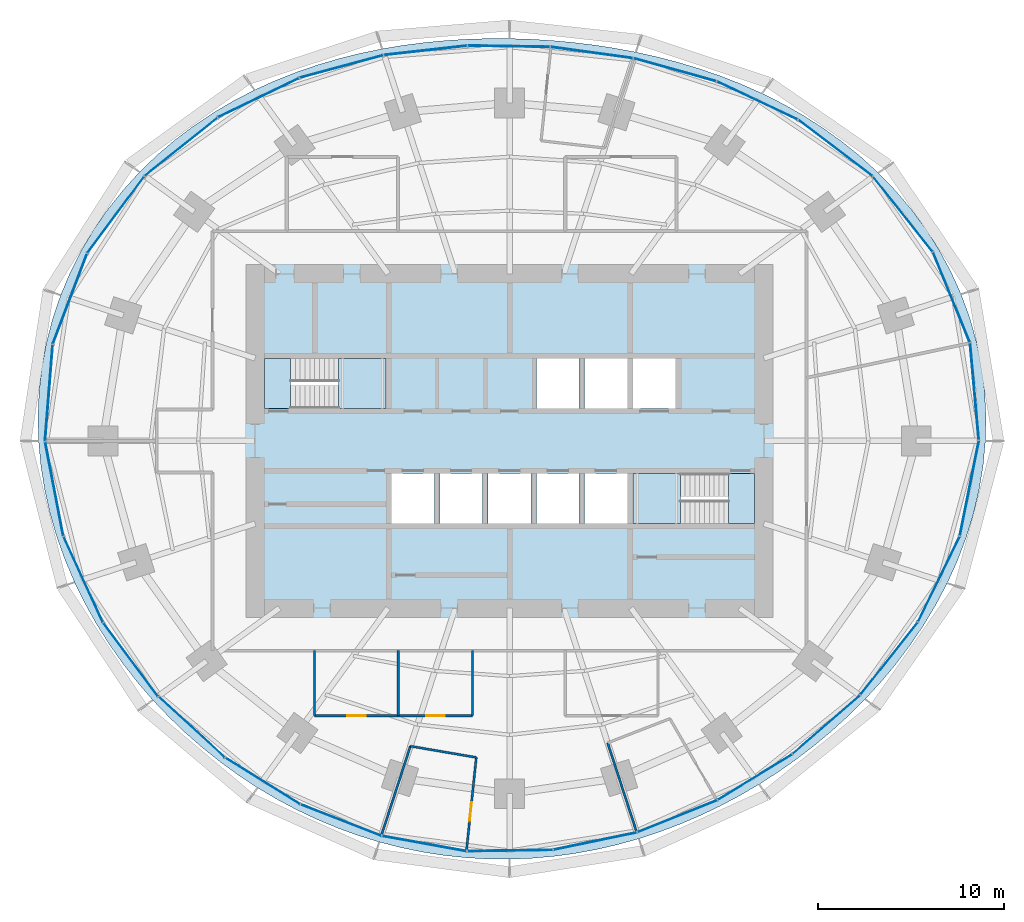
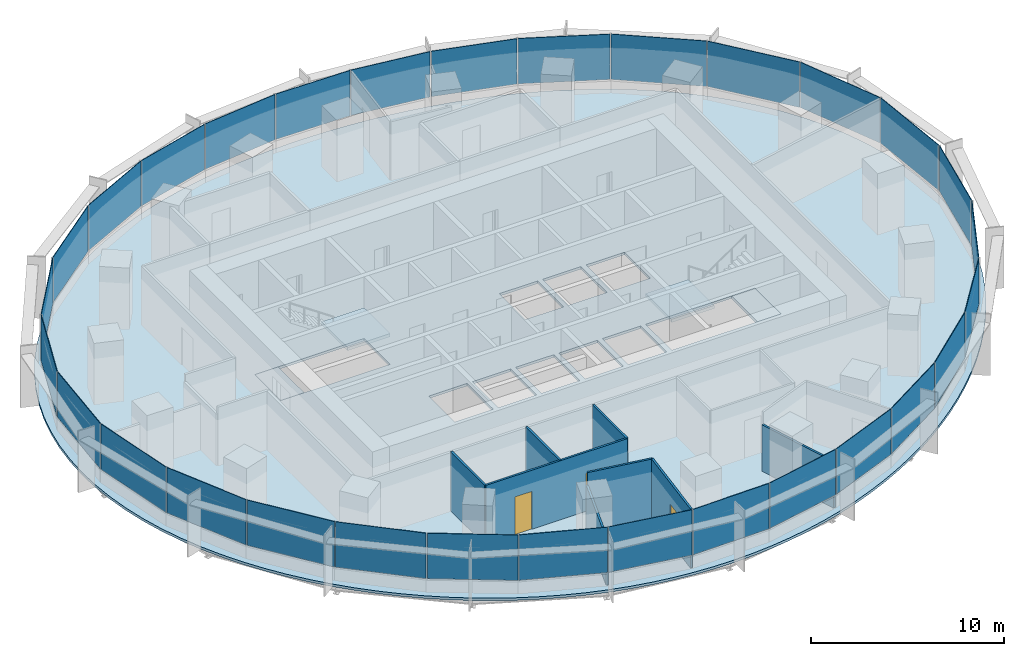
# One storey, part 9 of 14: 30 plates, 8 walls, 5 slabs, 3 doors, 3 openings, 8 elements without a shape of their own.
"""IFC4 building model written with IfcOpenShell, lengths in metres."""

from ifc_helpers import new_model, si_unit, direction, frame, frame_2d, origin, origin_2d, place, context, subcontext, project, spatial, polyline, rectangle, outline, extrude, material, layer, layer_set, type_object, element, fill, aggregate, save


model = new_model("IFC4")

# Units and contexts
model_context = context("Model", 3, precision=1e-05, world=origin(), true_north=direction((0.0, 1.0)))
body_context = subcontext(model_context, "Body", "Model", "MODEL_VIEW")
ifc_project = project(units=[si_unit("LENGTHUNIT", "METRE"), si_unit("AREAUNIT", "SQUARE_METRE"), si_unit("VOLUMEUNIT", "CUBIC_METRE"), si_unit("PLANEANGLEUNIT", "RADIAN"), si_unit("MASSUNIT", "GRAM", prefix="KILO")], contexts=[model_context])

# Site, building, storey
site_placement = place(None, origin())
site = spatial("IfcSite", under=ifc_project, at=site_placement, CompositionType="ELEMENT")
building_placement = place(site_placement, origin())
building = spatial("IfcBuilding", under=site, at=building_placement, Name="Marramba Exchange Tower", CompositionType="ELEMENT")
storey_placement = place(building_placement, frame((0.0, 0.0, 108.0)))
storey = spatial("IfcBuildingStorey", under=building, at=storey_placement, Name="L25", CompositionType="ELEMENT", Elevation=108.0)

# Slab
ifc_material_1 = material(Name="Concrete N40", Category="concrete")
ifc_layer_1 = layer(ifc_material_1, 0.159912109375)
ifc_layer_set_1 = layer_set([ifc_layer_1], Name="Composite floor slab 160")
slab_type_1 = type_object("IfcSlabType", Name="Composite floor slab 160", PredefinedType="FLOOR", material=ifc_layer_set_1)
slab_1_placement = place(storey_placement, frame((0.0, 0.0, -0.159912109375)))
element("IfcSlab", 1, at=slab_1_placement, inside=storey, type_object=slab_type_1, Name="Floor slab L25", PredefinedType="FLOOR", context=body_context, shape_type="SweptSolid", body=[
    extrude(outline(polyline([(25.632080078125, 0.0), (25.66064453125, 1.3447265625), (25.59033203125, 2.689697265625), (25.420166015625, 4.026123046875), (25.15087890625, 5.345947265625), (24.7841796875, 6.640869140625), (24.322998046875, 7.903076171875), (23.771484375, 9.125), (23.135009765625, 10.30029296875), (22.419677734375, 11.42333984375), (21.632080078125, 12.4892578125), (20.779541015625, 13.494384765625), (19.869384765625, 14.43603515625), (18.9091796875, 15.3125), (17.90625, 16.122802734375), (16.86767578125, 16.86767578125), (15.800048828125, 17.5478515625), (14.70947265625, 18.164794921875), (13.6015625, 18.720947265625), (12.48095703125, 19.218994140625), (11.3515625, 19.66162109375), (10.217041015625, 20.05224609375), (9.079833984375, 20.393798828125), (7.94189453125, 20.689453125), (6.804443359375, 20.942138671875), (5.668212890625, 21.154296875), (4.533447265625, 21.328369140625), (3.39990234375, 21.46630859375), (2.26708984375, 21.5693359375), (1.134033203125, 21.63818359375), (0.0, 21.673095703125), (-1.135986328125, 21.673828125), (-2.2744140625, 21.6396484375), (-3.416259765625, 21.5693359375), (-4.5615234375, 21.460693359375), (-5.71044921875, 21.31201171875), (-6.8623046875, 21.1201171875), (-8.01611328125, 20.8828125), (-9.170166015625, 20.5966796875), (-10.322509765625, 20.2587890625), (-11.4697265625, 19.8662109375), (-12.60888671875, 19.415771484375), (-13.7353515625, 18.905029296875), (-14.8447265625, 18.331787109375), (-15.931640625, 17.69384765625), (-16.989990234375, 16.989990234375), (-18.013916015625, 16.2197265625), (-18.996826171875, 15.38330078125), (-19.931884765625, 14.4814453125), (-20.8125, 13.515869140625), (-21.632080078125, 12.4892578125), (-22.384033203125, 11.4052734375), (-23.0625, 10.26806640625), (-23.661865234375, 9.0830078125), (-24.177734375, 7.855712890625), (-24.605712890625, 6.593017578125), (-24.943603515625, 5.302001953125), (-25.18896484375, 3.989501953125), (-25.341064453125, 2.663330078125), (-25.400390625, 1.3310546875), (-25.367919921875, 0.0), (-25.246337890625, -1.322998046875), (-25.038818359375, -2.631591796875), (-24.748779296875, -3.919921875), (-24.381103515625, -5.182373046875), (-23.940185546875, -6.414794921875), (-23.431396484375, -7.61328125), (-22.859130859375, -8.77490234375), (-22.22900390625, -9.89697265625), (-21.545166015625, -10.977783203125), (-20.81201171875, -12.015869140625), (-20.033935546875, -13.010009765625), (-19.2138671875, -13.959716796875), (-18.35546875, -14.86376953125), (-17.461181640625, -15.72216796875), (-16.53369140625, -16.53369140625), (-15.5751953125, -17.298095703125), (-14.587646484375, -18.014404296875), (-13.5732421875, -18.681884765625), (-12.533203125, -19.299560546875), (-11.4697265625, -19.8662109375), (-10.384765625, -20.381103515625), (-9.27978515625, -20.8427734375), (-8.157470703125, -21.250732421875), (-7.019287109375, -21.603271484375), (-5.8681640625, -21.900146484375), (-4.7060546875, -22.14013671875), (-3.53564453125, -22.322998046875), (-2.359375, -22.448486328125), (-1.179931640625, -22.516357421875), (0.0, -22.52685546875), (1.17822265625, -22.480712890625), (2.35205078125, -22.3779296875), (3.519287109375, -22.22021484375), (4.677978515625, -22.0078125), (5.825927734375, -21.742431640625), (6.96142578125, -21.425048828125), (8.0830078125, -21.05712890625), (9.189453125, -20.639892578125), (10.279296875, -20.17431640625), (11.3515625, -19.66162109375), (12.4052734375, -19.1025390625), (13.439453125, -18.497802734375), (14.45263671875, -17.847412109375), (15.44384765625, -17.152099609375), (16.411376953125, -16.411376953125), (17.353515625, -15.625244140625), (18.267822265625, -14.79296875), (19.1513671875, -13.914306640625), (20.000732421875, -12.98876953125), (20.81201171875, -12.015869140625), (21.580810546875, -10.995849609375), (22.301513671875, -9.92919921875), (22.96875, -8.81689453125), (23.57666015625, -7.660400390625), (24.11865234375, -6.462646484375), (24.588623046875, -5.2265625), (24.980224609375, -3.95654296875), (25.2880859375, -2.657958984375), (25.5068359375, -1.336669921875), (25.632080078125, 0.0)]), holes=[polyline([(1.449951171875, 1.75), (3.75, 1.75), (3.75, 4.449951171875), (1.449951171875, 4.449951171875), (1.449951171875, 1.75)]), polyline([(4.050048828125, 1.75), (6.35009765625, 1.75), (6.35009765625, 4.449951171875), (4.050048828125, 4.449951171875), (4.050048828125, 1.75)]), polyline([(-6.35009765625, -4.449951171875), (-4.050048828125, -4.449951171875), (-4.050048828125, -1.75), (-6.35009765625, -1.75), (-6.35009765625, -4.449951171875)]), polyline([(-3.75, -4.449951171875), (-1.449951171875, -4.449951171875), (-1.449951171875, -1.75), (-3.75, -1.75), (-3.75, -4.449951171875)]), polyline([(-1.14990234375, -4.449951171875), (1.14990234375, -4.449951171875), (1.14990234375, -1.75), (-1.14990234375, -1.75), (-1.14990234375, -4.449951171875)]), polyline([(1.449951171875, -4.449951171875), (3.75, -4.449951171875), (3.75, -1.75), (1.449951171875, -1.75), (1.449951171875, -4.449951171875)]), polyline([(4.050048828125, -4.449951171875), (6.35009765625, -4.449951171875), (6.35009765625, -1.75), (4.050048828125, -1.75), (4.050048828125, -4.449951171875)]), polyline([(6.64990234375, 1.75), (8.949951171875, 1.75), (8.949951171875, 4.449951171875), (6.64990234375, 4.449951171875), (6.64990234375, 1.75)]), polyline([(-13.199951171875, 1.75), (-6.64990234375, 1.75), (-6.64990234375, 4.449951171875), (-13.199951171875, 4.449951171875), (-13.199951171875, 1.75)]), polyline([(6.64990234375, -4.449951171875), (13.199951171875, -4.449951171875), (13.199951171875, -1.75), (6.64990234375, -1.75), (6.64990234375, -4.449951171875)])]), origin(), (0.0, 0.0, 1.0), 0.159912109375),
])

# Curtain wall, plates
ifc_material_2 = material(Name="Aluminium framing, bronze anodised", Category="aluminium")
curtain_wall_type = type_object("IfcCurtainWallType", Name="Office ribbon curtain wall", PredefinedType="USERDEFINED", material=ifc_material_2)
curtain_wall_1_placement = place(storey_placement, origin())
curtain_wall_1 = element("IfcCurtainWall", 2, at=curtain_wall_1_placement, inside=storey, type_object=curtain_wall_type, Name="Curtain wall CW4 L25 F01-F05", ObjectType="RIBBON CURTAIN WALL", PredefinedType="USERDEFINED")
ifc_material_3 = material(Name="Laminated double glazed unit 10.76 + 16 + 10.76, bronze tinted", Category="glass")
ifc_layer_2 = layer(ifc_material_3, 0.03759765625)
ifc_layer_set_2 = layer_set([ifc_layer_2], Name="Office ribbon curtain wall panel")
plate_type = type_object("IfcPlateType", Name="Office ribbon curtain wall panel", PredefinedType="CURTAIN_PANEL", material=ifc_layer_set_2)
plate_1_placement = place(storey_placement, frame((25.042724609375, 2.66650390625, 0.860107421875), z_axis=(0.0, 0.0, 1.0), x_axis=(-0.089412887889, 0.995994646311, 0.0)))
plate_1 = element("IfcPlate", 3, at=plate_1_placement, type_object=plate_type, Name="CW4 vision panel", PredefinedType="CURTAIN_PANEL", context=body_context, shape_type="SweptSolid", body=[
    extrude(rectangle(XDim=5.234375, YDim=0.03759765625, at=origin_2d()), origin(), (0.0, 0.0, 1.0), 2.8798828125),
])
plate_2_placement = place(storey_placement, frame((23.800537109375, 7.743408203125, 0.860107421875), z_axis=(0.0, 0.0, 1.0), x_axis=(-0.377821183171, 0.925878584668, 0.0)))
plate_2 = element("IfcPlate", 4, at=plate_2_placement, type_object=plate_type, Name="CW4 vision panel", PredefinedType="CURTAIN_PANEL", context=body_context, shape_type="SweptSolid", body=[
    extrude(rectangle(XDim=5.2158203125, YDim=0.03759765625, at=origin_2d()), origin(), (0.0, 0.0, 1.0), 2.8798828125),
])
plate_3_placement = place(storey_placement, frame((21.18212890625, 12.217529296875, 0.860107421875), z_axis=(0.0, 0.0, 1.0), x_axis=(-0.621312004611, 0.783563266703, 0.0)))
plate_3 = element("IfcPlate", 5, at=plate_3_placement, type_object=plate_type, Name="CW4 vision panel", PredefinedType="CURTAIN_PANEL", context=body_context, shape_type="SweptSolid", body=[
    extrude(rectangle(XDim=5.136962890625, YDim=0.03759765625, at=origin_2d()), origin(), (0.0, 0.0, 1.0), 2.8798828125),
])
plate_4_placement = place(storey_placement, frame((17.55224609375, 15.777099609375, 0.860107421875), z_axis=(0.0, 0.0, 1.0), x_axis=(-0.795971748366, 0.60533377223, 0.0)))
plate_4 = element("IfcPlate", 6, at=plate_4_placement, type_object=plate_type, Name="CW4 vision panel", PredefinedType="CURTAIN_PANEL", context=body_context, shape_type="SweptSolid", body=[
    extrude(rectangle(XDim=4.990966796875, YDim=0.03759765625, at=origin_2d()), origin(), (0.0, 0.0, 1.0), 2.8798828125),
])
plate_5_placement = place(storey_placement, frame((13.34423828125, 18.3359375, 0.860107421875), z_axis=(0.0, 0.0, 1.0), x_axis=(-0.904403137485, 0.426678995157, 0.0)))
plate_5 = element("IfcPlate", 7, at=plate_5_placement, type_object=plate_type, Name="CW4 vision panel", PredefinedType="CURTAIN_PANEL", context=body_context, shape_type="SweptSolid", body=[
    extrude(rectangle(XDim=4.793212890625, YDim=0.03759765625, at=origin_2d()), origin(), (0.0, 0.0, 1.0), 2.8798828125),
])
aggregate(curtain_wall_1, [plate_1, plate_2, plate_3, plate_4, plate_5])

curtain_wall_2_placement = place(storey_placement, origin())
curtain_wall_2 = element("IfcCurtainWall", 8, at=curtain_wall_2_placement, inside=storey, type_object=curtain_wall_type, Name="Curtain wall CW4 L25 F06-F10", ObjectType="RIBBON CURTAIN WALL", PredefinedType="USERDEFINED")
plate_6_placement = place(storey_placement, frame((8.907470703125, 19.991943359375, 0.860107421875), z_axis=(0.0, 0.0, 1.0), x_axis=(-0.963177845956, 0.268865090816, 0.0)))
plate_6 = element("IfcPlate", 9, at=plate_6_placement, type_object=plate_type, Name="CW4 vision panel", PredefinedType="CURTAIN_PANEL", context=body_context, shape_type="SweptSolid", body=[
    extrude(rectangle(XDim=4.591552734375, YDim=0.03759765625, at=origin_2d()), origin(), (0.0, 0.0, 1.0), 2.8798828125),
])
plate_7_placement = place(storey_placement, frame((4.43359375, 20.919189453125, 0.860107421875), z_axis=(0.0, 0.0, 1.0), x_axis=(-0.990738212841, 0.135785837319, 0.0)))
plate_7 = element("IfcPlate", 10, at=plate_7_placement, type_object=plate_type, Name="CW4 vision panel", PredefinedType="CURTAIN_PANEL", context=body_context, shape_type="SweptSolid", body=[
    extrude(rectangle(XDim=4.447509765625, YDim=0.03759765625, at=origin_2d()), origin(), (0.0, 0.0, 1.0), 2.8798828125),
])
plate_8_placement = place(storey_placement, frame((-0.03369140625, 21.2568359375, 0.860107421875), z_axis=(0.0, 0.0, 1.0), x_axis=(-0.999875869968, 0.01575578169, 0.0)))
plate_8 = element("IfcPlate", 11, at=plate_8_placement, type_object=plate_type, Name="CW4 vision panel", PredefinedType="CURTAIN_PANEL", context=body_context, shape_type="SweptSolid", body=[
    extrude(rectangle(XDim=4.408935546875, YDim=0.03759765625, at=origin_2d()), origin(), (0.0, 0.0, 1.0), 2.8798828125),
])
plate_9_placement = place(storey_placement, frame((-4.52587890625, 21.0361328125, 0.860107421875), z_axis=(0.0, 0.0, 1.0), x_axis=(-0.993823395532, -0.110973233233, 0.0)))
plate_9 = element("IfcPlate", 12, at=plate_9_placement, type_object=plate_type, Name="CW4 vision panel", PredefinedType="CURTAIN_PANEL", context=body_context, shape_type="SweptSolid", body=[
    extrude(rectangle(XDim=4.484375, YDim=0.03759765625, at=origin_2d()), origin(), (0.0, 0.0, 1.0), 2.8798828125),
])
plate_10_placement = place(storey_placement, frame((-9.053466796875, 20.16748046875, 0.860107421875), z_axis=(0.0, 0.0, 1.0), x_axis=(-0.965522047176, -0.260321294588, 0.0)))
plate_10 = element("IfcPlate", 13, at=plate_10_placement, type_object=plate_type, Name="CW4 vision panel", PredefinedType="CURTAIN_PANEL", context=body_context, shape_type="SweptSolid", body=[
    extrude(rectangle(XDim=4.642578125, YDim=0.03759765625, at=origin_2d()), origin(), (0.0, 0.0, 1.0), 2.8798828125),
])
aggregate(curtain_wall_2, [plate_6, plate_7, plate_8, plate_9, plate_10])

curtain_wall_3_placement = place(storey_placement, origin())
curtain_wall_3 = element("IfcCurtainWall", 14, at=curtain_wall_3_placement, inside=storey, type_object=curtain_wall_type, Name="Curtain wall CW4 L25 F11-F15", ObjectType="RIBBON CURTAIN WALL", PredefinedType="USERDEFINED")
plate_11_placement = place(storey_placement, frame((-13.52294921875, 18.4853515625, 0.860107421875), z_axis=(0.0, 0.0, 1.0), x_axis=(-0.900223739881, -0.435427626771, 0.0)))
plate_11 = element("IfcPlate", 15, at=plate_11_placement, type_object=plate_type, Name="CW4 vision panel", PredefinedType="CURTAIN_PANEL", context=body_context, shape_type="SweptSolid", body=[
    extrude(rectangle(XDim=4.83056640625, YDim=0.03759765625, at=origin_2d()), origin(), (0.0, 0.0, 1.0), 2.8798828125),
])
plate_12_placement = place(storey_placement, frame((-17.696533203125, 15.8359375, 0.860107421875), z_axis=(0.0, 0.0, 1.0), x_axis=(-0.78117833008, -0.624307950145, 0.0)))
plate_12 = element("IfcPlate", 16, at=plate_12_placement, type_object=plate_type, Name="CW4 vision panel", PredefinedType="CURTAIN_PANEL", context=body_context, shape_type="SweptSolid", body=[
    extrude(rectangle(XDim=4.998291015625, YDim=0.03759765625, at=origin_2d()), origin(), (0.0, 0.0, 1.0), 2.8798828125),
])
plate_13_placement = place(storey_placement, frame((-21.213623046875, 12.1767578125, 0.860107421875), z_axis=(0.0, 0.0, 1.0), x_axis=(-0.597703997504, -0.80171686484, 0.0)))
plate_13 = element("IfcPlate", 17, at=plate_13_placement, type_object=plate_type, Name="CW4 vision panel", PredefinedType="CURTAIN_PANEL", context=body_context, shape_type="SweptSolid", body=[
    extrude(rectangle(XDim=5.116455078125, YDim=0.03759765625, at=origin_2d()), origin(), (0.0, 0.0, 1.0), 2.8798828125),
])
plate_14_placement = place(storey_placement, frame((-23.6826171875, 7.6494140625, 0.860107421875), z_axis=(0.0, 0.0, 1.0), x_axis=(-0.354844468484, -0.934925346317, 0.0)))
plate_14 = element("IfcPlate", 18, at=plate_14_placement, type_object=plate_type, Name="CW4 vision panel", PredefinedType="CURTAIN_PANEL", context=body_context, shape_type="SweptSolid", body=[
    extrude(rectangle(XDim=5.177490234375, YDim=0.03759765625, at=origin_2d()), origin(), (0.0, 0.0, 1.0), 2.8798828125),
])
plate_15_placement = place(storey_placement, frame((-24.81201171875, 2.584716796875, 0.860107421875), z_axis=(0.0, 0.0, 1.0), x_axis=(-0.079459696383, -0.996838079455, 0.0)))
plate_15 = element("IfcPlate", 19, at=plate_15_placement, type_object=plate_type, Name="CW4 vision panel", PredefinedType="CURTAIN_PANEL", context=body_context, shape_type="SweptSolid", body=[
    extrude(rectangle(XDim=5.185791015625, YDim=0.03759765625, at=origin_2d()), origin(), (0.0, 0.0, 1.0), 2.8798828125),
])
aggregate(curtain_wall_3, [plate_11, plate_12, plate_13, plate_14, plate_15])

curtain_wall_4_placement = place(storey_placement, origin())
curtain_wall_4 = element("IfcCurtainWall", 20, at=curtain_wall_4_placement, inside=storey, type_object=curtain_wall_type, Name="Curtain wall CW4 L25 F16-F20", ObjectType="RIBBON CURTAIN WALL", PredefinedType="USERDEFINED")
plate_16_placement = place(storey_placement, frame((-24.522705078125, -2.584228515625, 0.860107421875), z_axis=(0.0, 0.0, 1.0), x_axis=(0.18822721487, -0.982125509078, 0.0)))
plate_16 = element("IfcPlate", 21, at=plate_16_placement, type_object=plate_type, Name="CW4 vision panel", PredefinedType="CURTAIN_PANEL", context=body_context, shape_type="SweptSolid", body=[
    extrude(rectangle(XDim=5.142578125, YDim=0.03759765625, at=origin_2d()), origin(), (0.0, 0.0, 1.0), 2.8798828125),
])
plate_17_placement = place(storey_placement, frame((-22.96142578125, -7.45947265625, 0.860107421875), z_axis=(0.0, 0.0, 1.0), x_axis=(0.416737848929, -0.909026713177, 0.0)))
plate_17 = element("IfcPlate", 22, at=plate_17_placement, type_object=plate_type, Name="CW4 vision panel", PredefinedType="CURTAIN_PANEL", context=body_context, shape_type="SweptSolid", body=[
    extrude(rectangle(XDim=5.0498046875, YDim=0.03759765625, at=origin_2d()), origin(), (0.0, 0.0, 1.0), 2.8798828125),
])
plate_18_placement = place(storey_placement, frame((-20.402099609375, -11.7783203125, 0.860107421875), z_axis=(0.0, 0.0, 1.0), x_axis=(0.597304697033, -0.802014400683, 0.0)))
plate_18 = element("IfcPlate", 23, at=plate_18_placement, type_object=plate_type, Name="CW4 vision panel", PredefinedType="CURTAIN_PANEL", context=body_context, shape_type="SweptSolid", body=[
    extrude(rectangle(XDim=4.926513671875, YDim=0.03759765625, at=origin_2d()), origin(), (0.0, 0.0, 1.0), 2.8798828125),
])
plate_19_placement = place(storey_placement, frame((-17.11376953125, -15.416259765625, 0.860107421875), z_axis=(0.0, 0.0, 1.0), x_axis=(0.737821886077, -0.674995455115, 0.0)))
plate_19 = element("IfcPlate", 24, at=plate_19_placement, type_object=plate_type, Name="CW4 vision panel", PredefinedType="CURTAIN_PANEL", context=body_context, shape_type="SweptSolid", body=[
    extrude(rectangle(XDim=4.80517578125, YDim=0.03759765625, at=origin_2d()), origin(), (0.0, 0.0, 1.0), 2.8798828125),
])
plate_20_placement = place(storey_placement, frame((-13.29248046875, -18.31640625, 0.860107421875), z_axis=(0.0, 0.0, 1.0), x_axis=(0.84835459748, -0.52942844364, 0.0)))
plate_20 = element("IfcPlate", 25, at=plate_20_placement, type_object=plate_type, Name="CW4 vision panel", PredefinedType="CURTAIN_PANEL", context=body_context, shape_type="SweptSolid", body=[
    extrude(rectangle(XDim=4.70947265625, YDim=0.03759765625, at=origin_2d()), origin(), (0.0, 0.0, 1.0), 2.8798828125),
])
aggregate(curtain_wall_4, [plate_16, plate_17, plate_18, plate_19, plate_20])

curtain_wall_5_placement = place(storey_placement, origin())
curtain_wall_5 = element("IfcCurtainWall", 26, at=curtain_wall_5_placement, inside=storey, type_object=curtain_wall_type, Name="Curtain wall CW4 L25 F21-F25", ObjectType="RIBBON CURTAIN WALL", PredefinedType="USERDEFINED")
plate_21_placement = place(storey_placement, frame((-9.074951171875, -20.427734375, 0.860107421875), z_axis=(0.0, 0.0, 1.0), x_axis=(0.931818390344, -0.36292490603, 0.0)))
plate_21 = element("IfcPlate", 27, at=plate_21_placement, type_object=plate_type, Name="CW4 vision panel", PredefinedType="CURTAIN_PANEL", context=body_context, shape_type="SweptSolid", body=[
    extrude(rectangle(XDim=4.644287109375, YDim=0.03759765625, at=origin_2d()), origin(), (0.0, 0.0, 1.0), 2.8798828125),
])
plate_22_placement = place(storey_placement, frame((-4.58740234375, -21.690673828125, 0.860107421875), z_axis=(0.0, 0.0, 1.0), x_axis=(0.984031865834, -0.177992379115, 0.0)))
plate_22 = element("IfcPlate", 28, at=plate_22_placement, type_object=plate_type, Name="CW4 vision panel", PredefinedType="CURTAIN_PANEL", context=body_context, shape_type="SweptSolid", body=[
    extrude(rectangle(XDim=4.602783203125, YDim=0.03759765625, at=origin_2d()), origin(), (0.0, 0.0, 1.0), 2.8798828125),
])
plate_23_placement = place(storey_placement, frame((0.0263671875, -22.064697265625, 0.860107421875), z_axis=(0.0, 0.0, 1.0), x_axis=(0.999884797709, 0.015178646521, 0.0)))
plate_23 = element("IfcPlate", 29, at=plate_23_placement, type_object=plate_type, Name="CW4 vision panel", PredefinedType="CURTAIN_PANEL", context=body_context, shape_type="SweptSolid", body=[
    extrude(rectangle(XDim=4.578857421875, YDim=0.03759765625, at=origin_2d()), origin(), (0.0, 0.0, 1.0), 2.8798828125),
])
plate_24_placement = place(storey_placement, frame((4.61376953125, -21.554931640625, 0.860107421875), z_axis=(0.0, 0.0, 1.0), x_axis=(0.979310199794, 0.202364850159, 0.0)))
plate_24 = element("IfcPlate", 30, at=plate_24_placement, type_object=plate_type, Name="CW4 vision panel", PredefinedType="CURTAIN_PANEL", context=body_context, shape_type="SweptSolid", body=[
    extrude(rectangle(XDim=4.57373046875, YDim=0.03759765625, at=origin_2d()), origin(), (0.0, 0.0, 1.0), 2.8798828125),
])
plate_25_placement = place(storey_placement, frame((9.042724609375, -20.214111328125, 0.860107421875), z_axis=(0.0, 0.0, 1.0), x_axis=(0.928148916059, 0.372209067082, 0.0)))
plate_25 = element("IfcPlate", 31, at=plate_25_placement, type_object=plate_type, Name="CW4 vision panel", PredefinedType="CURTAIN_PANEL", context=body_context, shape_type="SweptSolid", body=[
    extrude(rectangle(XDim=4.59814453125, YDim=0.03759765625, at=origin_2d()), origin(), (0.0, 0.0, 1.0), 2.8798828125),
])
aggregate(curtain_wall_5, [plate_21, plate_22, plate_23, plate_24, plate_25])

curtain_wall_6_placement = place(storey_placement, origin())
curtain_wall_6 = element("IfcCurtainWall", 32, at=curtain_wall_6_placement, inside=storey, type_object=curtain_wall_type, Name="Curtain wall CW4 L25 F26-F30", ObjectType="RIBBON CURTAIN WALL", PredefinedType="USERDEFINED")
plate_26_placement = place(storey_placement, frame((13.21875, -18.109619140625, 0.860107421875), z_axis=(0.0, 0.0, 1.0), x_axis=(0.853109114492, 0.521732535664, 0.0)))
plate_26 = element("IfcPlate", 33, at=plate_26_placement, type_object=plate_type, Name="CW4 vision panel", PredefinedType="CURTAIN_PANEL", context=body_context, shape_type="SweptSolid", body=[
    extrude(rectangle(XDim=4.66748046875, YDim=0.03759765625, at=origin_2d()), origin(), (0.0, 0.0, 1.0), 2.8798828125),
])
plate_27_placement = place(storey_placement, frame((17.0615234375, -15.280517578125, 0.860107421875), z_axis=(0.0, 0.0, 1.0), x_axis=(0.754385506384, 0.656431647438, 0.0)))
plate_27 = element("IfcPlate", 34, at=plate_27_placement, type_object=plate_type, Name="CW4 vision panel", PredefinedType="CURTAIN_PANEL", context=body_context, shape_type="SweptSolid", body=[
    extrude(rectangle(XDim=4.789794921875, YDim=0.03759765625, at=origin_2d()), origin(), (0.0, 0.0, 1.0), 2.8798828125),
])
plate_28_placement = place(storey_placement, frame((20.443603515625, -11.724365234375, 0.860107421875), z_axis=(0.0, 0.0, 1.0), x_axis=(0.621807472329, 0.783170139469, 0.0)))
plate_28 = element("IfcPlate", 35, at=plate_28_placement, type_object=plate_type, Name="CW4 vision panel", PredefinedType="CURTAIN_PANEL", context=body_context, shape_type="SweptSolid", body=[
    extrude(rectangle(XDim=4.947265625, YDim=0.03759765625, at=origin_2d()), origin(), (0.0, 0.0, 1.0), 2.8798828125),
])
plate_29_placement = place(storey_placement, frame((23.127197265625, -7.443359375, 0.860107421875), z_axis=(0.0, 0.0, 1.0), x_axis=(0.439086342308, 0.89844486976, 0.0)))
plate_29 = element("IfcPlate", 36, at=plate_29_placement, type_object=plate_type, Name="CW4 vision panel", PredefinedType="CURTAIN_PANEL", context=body_context, shape_type="SweptSolid", body=[
    extrude(rectangle(XDim=5.096923828125, YDim=0.03759765625, at=origin_2d()), origin(), (0.0, 0.0, 1.0), 2.8798828125),
])
plate_30_placement = place(storey_placement, frame((24.77001953125, -2.54736328125, 0.860107421875), z_axis=(0.0, 0.0, 1.0), x_axis=(0.197048511267, 0.980393739376, 0.0)))
plate_30 = element("IfcPlate", 37, at=plate_30_placement, type_object=plate_type, Name="CW4 vision panel", PredefinedType="CURTAIN_PANEL", context=body_context, shape_type="SweptSolid", body=[
    extrude(rectangle(XDim=5.19677734375, YDim=0.03759765625, at=origin_2d()), origin(), (0.0, 0.0, 1.0), 2.8798828125),
])
aggregate(curtain_wall_6, [plate_26, plate_27, plate_28, plate_29, plate_30])

# Stair, slabs
ifc_material_4 = material(Name="Concrete N40 (40 MPa)", Category="concrete")
stair_type_1 = type_object("IfcStairType", Name="Exit stair ST1 3900 x 1250", PredefinedType="HALF_TURN_STAIR", material=ifc_material_4)
stair_1_placement = place(storey_placement, origin())
stair_1 = element("IfcStair", 38, at=stair_1_placement, inside=storey, type_object=stair_type_1, Name="Exit stair ST1 L25", PredefinedType="HALF_TURN_STAIR")
ifc_layer_3 = layer(ifc_material_4, 0.199951171875)
ifc_layer_set_3 = layer_set([ifc_layer_3], Name="Stair landing 200")
slab_type_2 = type_object("IfcSlabType", Name="Stair landing 200", PredefinedType="LANDING", material=ifc_layer_set_3)
slab_2_placement = place(storey_placement, frame((0.0, 0.0, -0.199951171875)))
slab_2 = element("IfcSlab", 39, at=slab_2_placement, type_object=slab_type_2, Name="ST1 landing 1", PredefinedType="LANDING", context=body_context, shape_type="SweptSolid", body=[
    extrude(outline(polyline([(-13.199951171875, 1.75), (-11.800048828125, 1.75), (-11.800048828125, 4.449951171875), (-13.199951171875, 4.449951171875), (-13.199951171875, 1.75)])), origin(), (0.0, 0.0, 1.0), 0.199951171875),
])
slab_3_placement = place(storey_placement, frame((0.0, 0.0, 1.75)))
slab_3 = element("IfcSlab", 40, at=slab_3_placement, type_object=slab_type_2, Name="ST1 landing 2", PredefinedType="LANDING", context=body_context, shape_type="SweptSolid", body=[
    extrude(outline(polyline([(-9.199951171875, 1.75), (-6.64990234375, 1.75), (-6.64990234375, 4.449951171875), (-9.199951171875, 4.449951171875), (-9.199951171875, 1.75)])), origin(), (0.0, 0.0, 1.0), 0.199951171875),
])
aggregate(stair_1, [slab_2, slab_3])

stair_type_2 = type_object("IfcStairType", Name="Exit stair ST2 3900 x 1250", PredefinedType="HALF_TURN_STAIR", material=ifc_material_4)
stair_2_placement = place(storey_placement, origin())
stair_2 = element("IfcStair", 41, at=stair_2_placement, inside=storey, type_object=stair_type_2, Name="Exit stair ST2 L25", PredefinedType="HALF_TURN_STAIR")
slab_4_placement = place(storey_placement, frame((0.0, 0.0, -0.199951171875)))
slab_4 = element("IfcSlab", 42, at=slab_4_placement, type_object=slab_type_2, Name="ST2 landing 1", PredefinedType="LANDING", context=body_context, shape_type="SweptSolid", body=[
    extrude(outline(polyline([(11.800048828125, -4.449951171875), (13.199951171875, -4.449951171875), (13.199951171875, -1.75), (11.800048828125, -1.75), (11.800048828125, -4.449951171875)])), origin(), (0.0, 0.0, 1.0), 0.199951171875),
])
slab_5_placement = place(storey_placement, frame((0.0, 0.0, 1.75)))
slab_5 = element("IfcSlab", 43, at=slab_5_placement, type_object=slab_type_2, Name="ST2 landing 2", PredefinedType="LANDING", context=body_context, shape_type="SweptSolid", body=[
    extrude(outline(polyline([(6.64990234375, -4.449951171875), (9.199951171875, -4.449951171875), (9.199951171875, -1.75), (6.64990234375, -1.75), (6.64990234375, -4.449951171875)])), origin(), (0.0, 0.0, 1.0), 0.199951171875),
])
aggregate(stair_2, [slab_4, slab_5])

# Walls
ifc_material_5 = material(Name="Plasterboard on steel studs", Category="steel")
ifc_layer_4 = layer(ifc_material_5, 0.1201171875)
ifc_layer_set_4 = layer_set([ifc_layer_4], Name="Partition 120")
wall_type = type_object("IfcWallType", Name="Partition 120", PredefinedType="PARTITIONING", material=ifc_layer_set_4)
for number, where, z_axis, x_axis, name in (
    (44, (-10.5, -11.300048828125, 0.0), (0.0, 0.0, 1.0), (0.0, -1.0, 0.0), "Partition L25 03"),
    (45, (-6.0, -11.300048828125, 0.0), (0.0, 0.0, 1.0), (0.0, -1.0, 0.0), "Partition L25 04"),
):
    element("IfcWall", number, at=place(storey_placement, frame(where, z_axis=z_axis, x_axis=x_axis)), inside=storey, type_object=wall_type, Name=name, PredefinedType="PARTITIONING", context=body_context, shape_type="SweptSolid", body=[
        extrude(rectangle(XDim=3.5, YDim=0.1201171875, at=frame_2d((1.75, 0.0))), origin(), (0.0, 0.0, 1.0), 3.739990234375),
    ])

# Wall, openings, doors
wall_1_placement = place(storey_placement, frame((-10.5, -14.800048828125, 0.0), z_axis=(0.0, 0.0, 1.0), x_axis=(1.0, 0.0, 0.0)))
wall_1 = element("IfcWall", 46, at=wall_1_placement, inside=storey, type_object=wall_type, Name="Partition L25 05", PredefinedType="PARTITIONING", context=body_context, shape_type="SweptSolid", body=[
    extrude(rectangle(XDim=8.5, YDim=0.1201171875, at=frame_2d((4.25, 0.0))), origin(), (0.0, 0.0, 1.0), 3.739990234375),
])
opening_1_placement = place(wall_1_placement, frame((1.75, 0.0, 0.0)))
opening_1 = element("IfcOpeningElement", 47, at=opening_1_placement, cuts=wall_1, Name="Opening D9", PredefinedType="OPENING", context=body_context, shape_type="SweptSolid", body=[
    extrude(rectangle(XDim=1.0, YDim=2.39990234375, at=frame_2d((0.5, 1.199951171875))), frame((0.0, 0.070068359375, 0.0), z_axis=(0.0, -1.0, 0.0), x_axis=(1.0, 0.0, 0.0)), (0.0, 0.0, 1.0), 0.14013671875),
])
opening_2_placement = place(wall_1_placement, frame((6.0, 0.0, 0.0)))
opening_2 = element("IfcOpeningElement", 48, at=opening_2_placement, cuts=wall_1, Name="Opening D9", PredefinedType="OPENING", context=body_context, shape_type="SweptSolid", body=[
    extrude(rectangle(XDim=1.0, YDim=2.39990234375, at=frame_2d((0.5, 1.199951171875))), frame((0.0, 0.070068359375, 0.0), z_axis=(0.0, -1.0, 0.0), x_axis=(1.0, 0.0, 0.0)), (0.0, 0.0, 1.0), 0.14013671875),
])
ifc_material_6 = material(Name="Timber door", Category="wood")
door_type = type_object("IfcDoorType", Name="Room door 1000x2400", OperationType="SINGLE_SWING_LEFT", PredefinedType="DOOR", material=ifc_material_6)
door_1_placement = place(opening_1_placement, origin())
door_1 = element("IfcDoor", 49, at=door_1_placement, inside=storey, type_object=door_type, Name="D9 Pantry 2 L25", OperationType="SINGLE_SWING_RIGHT", OverallHeight=2.39990234375, OverallWidth=1.0, PredefinedType="DOOR", context=body_context, shape_type="SweptSolid", body=[
    extrude(rectangle(XDim=1.0, YDim=2.39990234375, at=frame_2d((0.5, 1.199951171875))), frame((0.0, 0.02490234375, 0.0), z_axis=(0.0, -1.0, 0.0), x_axis=(1.0, 0.0, 0.0)), (0.0, 0.0, 1.0), 0.050048828125),
])
fill(opening_1, door_1)
door_2_placement = place(opening_2_placement, origin())
door_2 = element("IfcDoor", 50, at=door_2_placement, inside=storey, type_object=door_type, Name="D9 Print Room L25", OperationType="SINGLE_SWING_RIGHT", OverallHeight=2.39990234375, OverallWidth=1.0, PredefinedType="DOOR", context=body_context, shape_type="SweptSolid", body=[
    extrude(rectangle(XDim=1.0, YDim=2.39990234375, at=frame_2d((0.5, 1.199951171875))), frame((0.0, 0.02490234375, 0.0), z_axis=(0.0, -1.0, 0.0), x_axis=(1.0, 0.0, 0.0)), (0.0, 0.0, 1.0), 0.050048828125),
])
fill(opening_2, door_2)

# Walls
wall_2_placement = place(storey_placement, frame((-5.34130859375, -16.439208984375, 0.0), z_axis=(0.0, 0.0, 1.0), x_axis=(-0.309040803421, -0.951048779938, 0.0)))
element("IfcWall", 51, at=wall_2_placement, inside=storey, type_object=wall_type, Name="Partition L25 06", PredefinedType="PARTITIONING", context=body_context, shape_type="SweptSolid", body=[
    extrude(rectangle(XDim=4.999755859375, YDim=0.1201171875, at=frame_2d((2.5, 0.0))), origin(), (0.0, 0.0, 1.0), 2.93994140625),
])
wall_3_placement = place(storey_placement, frame((-1.791748046875, -17.048095703125, 0.0), z_axis=(0.0, 0.0, 1.0), x_axis=(-0.985604186085, 0.169069182206, 0.0)))
element("IfcWall", 52, at=wall_3_placement, inside=storey, type_object=wall_type, Name="Partition L25 07", PredefinedType="PARTITIONING", context=body_context, shape_type="SweptSolid", body=[
    extrude(rectangle(XDim=3.601318359375, YDim=0.1201171875, at=frame_2d((1.80078125, 0.0))), origin(), (0.0, 0.0, 1.0), 3.739990234375),
])
wall_4_placement = place(storey_placement, frame((-2.0, -14.800048828125, 0.0), z_axis=(0.0, 0.0, 1.0), x_axis=(0.0, 1.0, 0.0)))
element("IfcWall", 53, at=wall_4_placement, inside=storey, type_object=wall_type, Name="Partition L25 08", PredefinedType="PARTITIONING", context=body_context, shape_type="SweptSolid", body=[
    extrude(rectangle(XDim=3.5, YDim=0.1201171875, at=frame_2d((1.75, 0.0))), origin(), (0.0, 0.0, 1.0), 3.739990234375),
])

# Wall, opening, door
wall_5_placement = place(storey_placement, frame((-2.314453125, -22.020751953125, 0.0), z_axis=(0.0, 0.0, 1.0), x_axis=(0.104539905878, 0.994520692635, 0.0)))
wall_5 = element("IfcWall", 54, at=wall_5_placement, inside=storey, type_object=wall_type, Name="Partition L25 09", PredefinedType="PARTITIONING", context=body_context, shape_type="SweptSolid", body=[
    extrude(rectangle(XDim=5.0, YDim=0.1201171875, at=frame_2d((2.5, 0.0))), origin(), (0.0, 0.0, 1.0), 3.739990234375),
])
opening_3_placement = place(wall_5_placement, frame((1.568115234375, 0.0, 0.0)))
opening_3 = element("IfcOpeningElement", 55, at=opening_3_placement, cuts=wall_5, Name="Opening D9", PredefinedType="OPENING", context=body_context, shape_type="SweptSolid", body=[
    extrude(rectangle(XDim=1.0, YDim=2.39990234375, at=frame_2d((0.5, 1.199951171875))), frame((0.0, 0.070068359375, 0.0), z_axis=(0.0, -1.0, 0.0), x_axis=(1.0, 0.0, 0.0)), (0.0, 0.0, 1.0), 0.14013671875),
])
door_3_placement = place(opening_3_placement, origin())
door_3 = element("IfcDoor", 56, at=door_3_placement, inside=storey, type_object=door_type, Name="D9 Office 2 L25", OperationType="SINGLE_SWING_LEFT", OverallHeight=2.39990234375, OverallWidth=1.0, PredefinedType="DOOR", context=body_context, shape_type="SweptSolid", body=[
    extrude(rectangle(XDim=1.0, YDim=2.39990234375, at=frame_2d((0.5, 1.199951171875))), frame((0.0, 0.02490234375, 0.0), z_axis=(0.0, -1.0, 0.0), x_axis=(1.0, 0.0, 0.0)), (0.0, 0.0, 1.0), 0.050048828125),
])
fill(opening_3, door_3)

# Wall
wall_6_placement = place(storey_placement, frame((5.283447265625, -16.260986328125, 0.0), z_axis=(0.0, 0.0, 1.0), x_axis=(0.309040803421, -0.951048779938, 0.0)))
element("IfcWall", 57, at=wall_6_placement, inside=storey, type_object=wall_type, Name="Partition L25 12", PredefinedType="PARTITIONING", context=body_context, shape_type="SweptSolid", body=[
    extrude(rectangle(XDim=4.999755859375, YDim=0.1201171875, at=frame_2d((2.5, 0.0))), origin(), (0.0, 0.0, 1.0), 2.93994140625),
])

save(model, "model.ifc")
